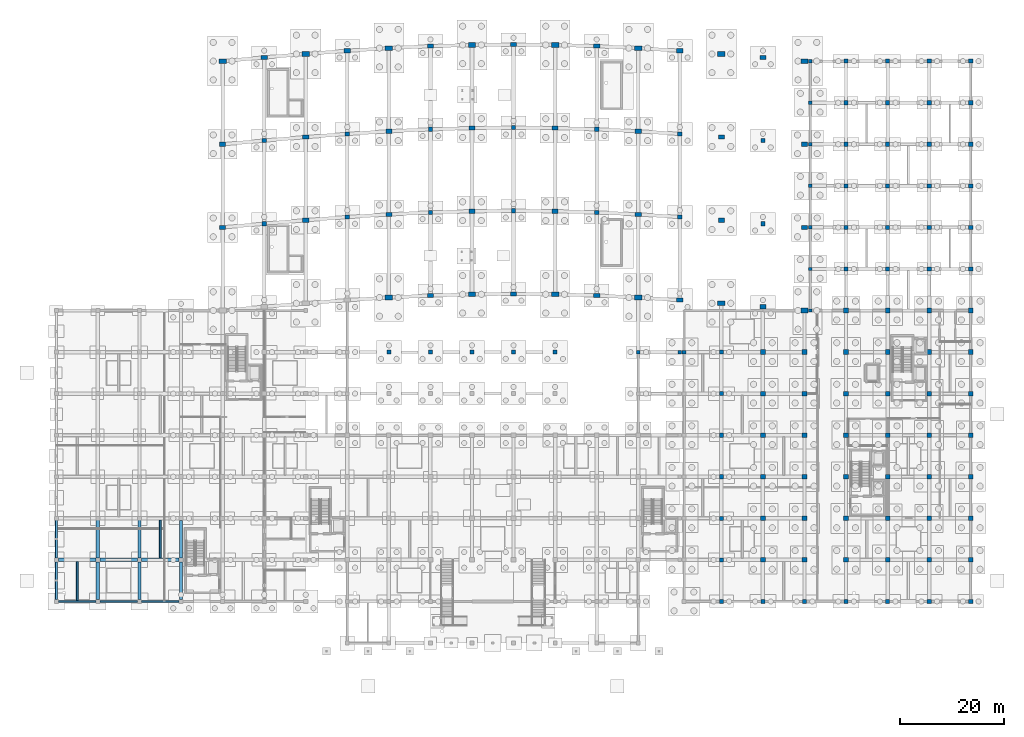
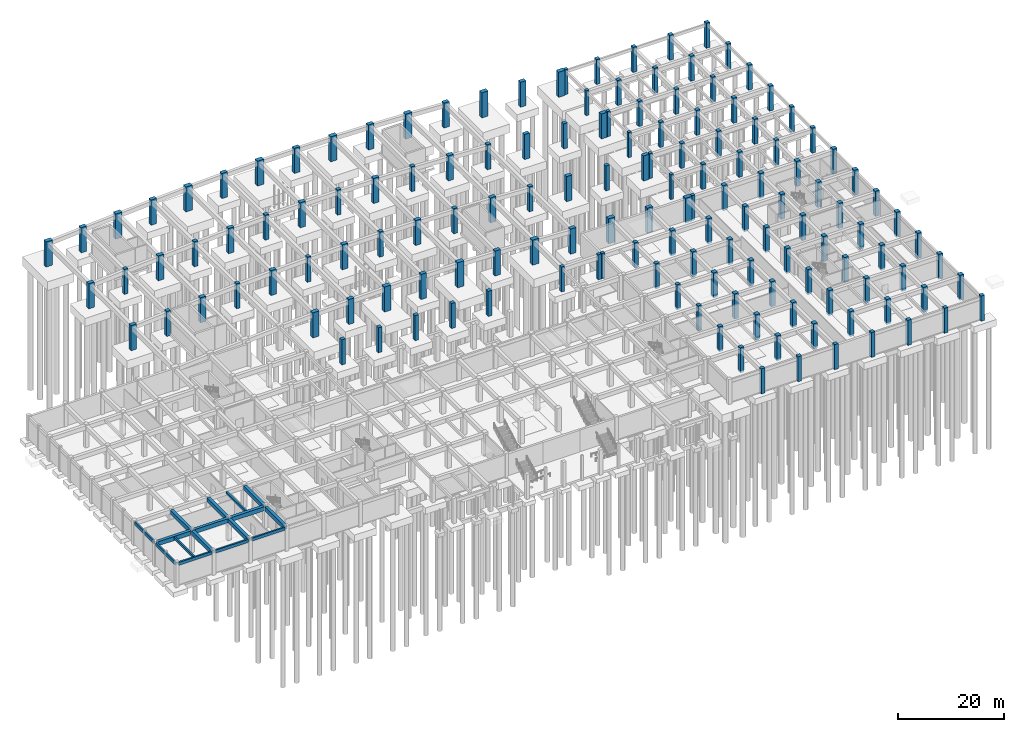
# One storey, part 11 of 45: 148 columns, 16 beams.
"""IFC4 building model written with IfcOpenShell, lengths in metres."""

from ifc_helpers import new_model, si_unit, direction, frame, origin, origin_2d, place, context, subcontext, project, spatial, rectangle, extrude, material, material_profile, profile_set, type_object, element, save


model = new_model("IFC4")

# Units and contexts
model_context = context("Model", 3, precision=1e-05, world=origin(), true_north=direction((0.0, 1.0)))
body_context = subcontext(model_context, "Body", "Model", "MODEL_VIEW")
ifc_project = project(units=[si_unit("LENGTHUNIT", "METRE"), si_unit("AREAUNIT", "SQUARE_METRE"), si_unit("VOLUMEUNIT", "CUBIC_METRE"), si_unit("PLANEANGLEUNIT", "RADIAN"), si_unit("MASSUNIT", "GRAM", prefix="KILO")], contexts=[model_context])

# Site, building, storey
site_placement = place(None, origin())
site = spatial("IfcSite", under=ifc_project, at=site_placement, CompositionType="ELEMENT")
building_placement = place(site_placement, origin())
building = spatial("IfcBuilding", under=site, at=building_placement, Name="Kenh Van Central Station", CompositionType="ELEMENT")
storey_placement = place(building_placement, frame((0.0, 0.0, -5.39990234375)))
storey = spatial("IfcBuildingStorey", under=building, at=storey_placement, Name="B1", CompositionType="ELEMENT", Elevation=-5.39990234375)

# Columns
ifc_material_1 = material(Name="Concrete C40/50", Category="concrete")
ifc_material_profile_1 = material_profile(ifc_material_1, rectangle(XDim=1.199951171875, YDim=0.800048828125, at=origin_2d()), Name="RC 1200x800")
ifc_profile_set_1 = profile_set([ifc_material_profile_1], Name="Concrete C40/50")
column_type_1 = type_object("IfcColumnType", Name="COL-PIER-1200x800", PredefinedType="COLUMN", material=ifc_profile_set_1)
for number, where, z_axis, x_axis, name in (
    (1, (32.0, 80.0, -0.400146484375), (0.0, 0.0, 1.0), (1.0, 0.0, 0.0), "B1 column VP-00-1"),
    (2, (32.0, 96.0, -0.400146484375), (0.0, 0.0, 1.0), (1.0, 0.0, 0.0), "B1 column VP-00-2"),
    (3, (40.0, 112.712158203125, -0.400146484375), (0.0, 0.0, 1.0), (1.0, 0.0, 0.0), "B1 column VPI-01-3"),
    (4, (48.0, 81.388427734375, -0.400146484375), (0.0, 0.0, 1.0), (1.0, 0.0, 0.0), "B1 column VP-02-1"),
    (5, (48.0, 97.388427734375, -0.400146484375), (0.0, 0.0, 1.0), (1.0, 0.0, 0.0), "B1 column VP-02-2"),
    (6, (56.0, 113.9951171875, -0.400146484375), (0.0, 0.0, 1.0), (1.0, 0.0, 0.0), "B1 column VPI-03-3"),
    (7, (64.0, 82.501953125, -0.400146484375), (0.0, 0.0, 1.0), (1.0, 0.0, 0.0), "B1 column VP-04-1"),
    (8, (64.0, 98.501953125, -0.400146484375), (0.0, 0.0, 1.0), (1.0, 0.0, 0.0), "B1 column VP-04-2"),
    (9, (72.0, 66.883056640625, -0.400146484375), (0.0, 0.0, 1.0), (1.0, 0.0, 0.0), "B1 column VPI-05-0"),
    (10, (72.0, 114.883056640625, -0.400146484375), (0.0, 0.0, 1.0), (1.0, 0.0, 0.0), "B1 column VPI-05-3"),
    (11, (80.0, 83.119873046875, -0.400146484375), (0.0, 0.0, 1.0), (1.0, 0.0, 0.0), "B1 column VP-06-1"),
    (12, (80.0, 99.119873046875, -0.400146484375), (0.0, 0.0, 1.0), (1.0, 0.0, 0.0), "B1 column VP-06-2"),
    (13, (88.0, 67.199951171875, -0.400146484375), (0.0, 0.0, 1.0), (1.0, 0.0, 0.0), "B1 column VPI-07-0"),
    (14, (88.0, 115.199951171875, -0.400146484375), (0.0, 0.0, 1.0), (1.0, 0.0, 0.0), "B1 column VPI-07-3"),
    (15, (96.0, 83.119873046875, -0.400146484375), (0.0, 0.0, 1.0), (1.0, 0.0, 0.0), "B1 column VP-08-1"),
    (16, (96.0, 99.119873046875, -0.400146484375), (0.0, 0.0, 1.0), (1.0, 0.0, 0.0), "B1 column VP-08-2"),
    (17, (104.0, 66.883056640625, -0.400146484375), (0.0, 0.0, 1.0), (1.0, 0.0, 0.0), "B1 column VPI-09-0"),
    (18, (104.0, 114.883056640625, -0.400146484375), (0.0, 0.0, 1.0), (1.0, 0.0, 0.0), "B1 column VPI-09-3"),
    (19, (112.0, 82.501953125, -0.400146484375), (0.0, 0.0, 1.0), (1.0, 0.0, 0.0), "B1 column VP-10-1"),
    (20, (112.0, 98.501953125, -0.400146484375), (0.0, 0.0, 1.0), (1.0, 0.0, 0.0), "B1 column VP-10-2"),
    (21, (120.0, 65.9951171875, -0.400146484375), (0.0, 0.0, 1.0), (1.0, 0.0, 0.0), "B1 column VPI-11-0"),
    (22, (120.0, 113.9951171875, -0.400146484375), (0.0, 0.0, 1.0), (1.0, 0.0, 0.0), "B1 column VPI-11-3"),
    (23, (128.0, 81.388427734375, -0.400146484375), (0.0, 0.0, 1.0), (1.0, 0.0, 0.0), "B1 column VP-12-1"),
    (24, (128.0, 97.388427734375, -0.400146484375), (0.0, 0.0, 1.0), (1.0, 0.0, 0.0), "B1 column VP-12-2"),
    (25, (136.0, 64.712158203125, -0.400146484375), (0.0, 0.0, 1.0), (1.0, 0.0, 0.0), "B1 column VPI-13-0"),
    (26, (136.0, 112.712158203125, -0.400146484375), (0.0, 0.0, 1.0), (1.0, 0.0, 0.0), "B1 column VPI-13-3"),
    (27, (144.0, 80.0, -0.400146484375), (0.0, 0.0, 1.0), (1.0, 0.0, 0.0), "B1 column VP-14-1"),
    (28, (144.0, 96.0, -0.400146484375), (0.0, 0.0, 1.0), (1.0, 0.0, 0.0), "B1 column VP-14-2"),
):
    element("IfcColumn", number, at=place(storey_placement, frame(where, z_axis=z_axis, x_axis=x_axis)), inside=storey, type_object=column_type_1, Name=name, PredefinedType="COLUMN", context=body_context, shape_type="SweptSolid", body=[
        extrude(rectangle(XDim=1.199951171875, YDim=0.800048828125, at=origin_2d()), origin(), (0.0, 0.0, 1.0), 5.800048828125),
    ])
ifc_material_profile_2 = material_profile(ifc_material_1, rectangle(XDim=1.39990234375, YDim=0.89990234375, at=origin_2d()), Name="RC 1400x900")
ifc_profile_set_2 = profile_set([ifc_material_profile_2], Name="Concrete C40/50")
column_type_2 = type_object("IfcColumnType", Name="COL-PIER-1400x900", PredefinedType="COLUMN", material=ifc_profile_set_2)
for number, where, z_axis, x_axis, name in (
    (29, (32.0, 112.0, -0.400146484375), (0.0, 0.0, 1.0), (1.0, 0.0, 0.0), "B1 column VP-00-3"),
    (30, (48.0, 113.388427734375, -0.400146484375), (0.0, 0.0, 1.0), (1.0, 0.0, 0.0), "B1 column VP-02-3"),
    (31, (64.0, 66.501953125, -0.400146484375), (0.0, 0.0, 1.0), (1.0, 0.0, 0.0), "B1 column VP-04-0"),
    (32, (64.0, 114.501953125, -0.400146484375), (0.0, 0.0, 1.0), (1.0, 0.0, 0.0), "B1 column VP-04-3"),
    (33, (80.0, 67.119873046875, -0.400146484375), (0.0, 0.0, 1.0), (1.0, 0.0, 0.0), "B1 column VP-06-0"),
    (34, (80.0, 115.119873046875, -0.400146484375), (0.0, 0.0, 1.0), (1.0, 0.0, 0.0), "B1 column VP-06-3"),
    (35, (96.0, 67.119873046875, -0.400146484375), (0.0, 0.0, 1.0), (1.0, 0.0, 0.0), "B1 column VP-08-0"),
    (36, (96.0, 115.119873046875, -0.400146484375), (0.0, 0.0, 1.0), (1.0, 0.0, 0.0), "B1 column VP-08-3"),
    (37, (112.0, 66.501953125, -0.400146484375), (0.0, 0.0, 1.0), (1.0, 0.0, 0.0), "B1 column VP-10-0"),
    (38, (112.0, 114.501953125, -0.400146484375), (0.0, 0.0, 1.0), (1.0, 0.0, 0.0), "B1 column VP-10-3"),
    (39, (128.0, 65.388427734375, -0.400146484375), (0.0, 0.0, 1.0), (1.0, 0.0, 0.0), "B1 column VP-12-0"),
    (40, (128.0, 113.388427734375, -0.400146484375), (0.0, 0.0, 1.0), (1.0, 0.0, 0.0), "B1 column VP-12-3"),
    (41, (144.0, 64.0, -0.400146484375), (0.0, 0.0, 1.0), (1.0, 0.0, 0.0), "B1 column VP-14-0"),
    (42, (144.0, 112.0, -0.400146484375), (0.0, 0.0, 1.0), (1.0, 0.0, 0.0), "B1 column VP-14-3"),
):
    element("IfcColumn", number, at=place(storey_placement, frame(where, z_axis=z_axis, x_axis=x_axis)), inside=storey, type_object=column_type_2, Name=name, PredefinedType="COLUMN", context=body_context, shape_type="SweptSolid", body=[
        extrude(rectangle(XDim=1.39990234375, YDim=0.89990234375, at=origin_2d()), origin(), (0.0, 0.0, 1.0), 5.800048828125),
    ])
ifc_material_2 = material(Name="Concrete C35/45", Category="concrete")
ifc_material_profile_3 = material_profile(ifc_material_2, rectangle(XDim=0.64990234375, YDim=0.64990234375, at=origin_2d()), Name="RC 650x650")
ifc_profile_set_3 = profile_set([ifc_material_profile_3], Name="Concrete C35/45")
column_type_3 = type_object("IfcColumnType", Name="COL-RC-650x650", PredefinedType="COLUMN", material=ifc_profile_set_3)
for number, where, z_axis, x_axis, name in (
    (43, (145.10009765625, 64.0, -0.400146484375), (0.0, 0.0, 1.0), (1.0, 0.0, 0.0), "B1 column CN-1451-064"),
    (44, (145.10009765625, 72.0, -0.400146484375), (0.0, 0.0, 1.0), (1.0, 0.0, 0.0), "B1 column CN-1451-072"),
    (45, (145.10009765625, 80.0, -0.400146484375), (0.0, 0.0, 1.0), (1.0, 0.0, 0.0), "B1 column CN-1451-080"),
    (46, (145.10009765625, 88.0, -0.400146484375), (0.0, 0.0, 1.0), (1.0, 0.0, 0.0), "B1 column CN-1451-088"),
    (47, (145.10009765625, 96.0, -0.400146484375), (0.0, 0.0, 1.0), (1.0, 0.0, 0.0), "B1 column CN-1451-096"),
    (48, (145.10009765625, 104.0, -0.400146484375), (0.0, 0.0, 1.0), (1.0, 0.0, 0.0), "B1 column CN-1451-104"),
    (49, (145.10009765625, 112.0, -0.400146484375), (0.0, 0.0, 1.0), (1.0, 0.0, 0.0), "B1 column CN-1451-112"),
):
    element("IfcColumn", number, at=place(storey_placement, frame(where, z_axis=z_axis, x_axis=x_axis)), inside=storey, type_object=column_type_3, Name=name, PredefinedType="COLUMN", context=body_context, shape_type="SweptSolid", body=[
        extrude(rectangle(XDim=0.64990234375, YDim=0.64990234375, at=origin_2d()), origin(), (0.0, 0.0, 1.0), 5.800048828125),
    ])
ifc_material_profile_4 = material_profile(ifc_material_1, rectangle(XDim=0.699951171875, YDim=0.699951171875, at=origin_2d()), Name="RC 700x700")
ifc_profile_set_4 = profile_set([ifc_material_profile_4], Name="Concrete C40/50")
column_type_4 = type_object("IfcColumnType", Name="COL-RC-700x700", PredefinedType="COLUMN", material=ifc_profile_set_4)
for number, where, z_axis, x_axis, name in (
    (50, (112.0, 56.0, -0.400146484375), (0.0, 0.0, 1.0), (1.0, 0.0, 0.0), "B1 column CL-112-056"),
    (51, (120.0, 56.0, -0.400146484375), (0.0, 0.0, 1.0), (1.0, 0.0, 0.0), "B1 column CL-120-056"),
    (52, (120.800048828125, 56.0, -0.400146484375), (0.0, 0.0, 1.0), (1.0, 0.0, 0.0), "B1 column CE-1208-056"),
):
    element("IfcColumn", number, at=place(storey_placement, frame(where, z_axis=z_axis, x_axis=x_axis)), inside=storey, type_object=column_type_4, Name=name, PredefinedType="COLUMN", context=body_context, shape_type="SweptSolid", body=[
        extrude(rectangle(XDim=0.699951171875, YDim=0.699951171875, at=origin_2d()), origin(), (0.0, 0.0, 1.0), 5.800048828125),
    ])
ifc_material_profile_5 = material_profile(ifc_material_1, rectangle(XDim=0.800048828125, YDim=0.800048828125, at=origin_2d()), Name="RC 800x800")
ifc_profile_set_5 = profile_set([ifc_material_profile_5], Name="Concrete C40/50")
column_type_5 = type_object("IfcColumnType", Name="COL-RC-800x800", PredefinedType="COLUMN", material=ifc_profile_set_5)
for number, where, z_axis, x_axis, name in (
    (53, (40.0, 80.712158203125, -0.400146484375), (0.0, 0.0, 1.0), (1.0, 0.0, 0.0), "B1 column VP-01-1"),
    (54, (40.0, 96.712158203125, -0.400146484375), (0.0, 0.0, 1.0), (1.0, 0.0, 0.0), "B1 column VP-01-2"),
    (55, (56.0, 81.9951171875, -0.400146484375), (0.0, 0.0, 1.0), (1.0, 0.0, 0.0), "B1 column VP-03-1"),
    (56, (56.0, 97.9951171875, -0.400146484375), (0.0, 0.0, 1.0), (1.0, 0.0, 0.0), "B1 column VP-03-2"),
    (57, (72.0, 82.883056640625, -0.400146484375), (0.0, 0.0, 1.0), (1.0, 0.0, 0.0), "B1 column VP-05-1"),
    (58, (72.0, 98.883056640625, -0.400146484375), (0.0, 0.0, 1.0), (1.0, 0.0, 0.0), "B1 column VP-05-2"),
    (59, (88.0, 83.199951171875, -0.400146484375), (0.0, 0.0, 1.0), (1.0, 0.0, 0.0), "B1 column VP-07-1"),
    (60, (88.0, 99.199951171875, -0.400146484375), (0.0, 0.0, 1.0), (1.0, 0.0, 0.0), "B1 column VP-07-2"),
    (61, (104.0, 82.883056640625, -0.400146484375), (0.0, 0.0, 1.0), (1.0, 0.0, 0.0), "B1 column VP-09-1"),
    (62, (104.0, 98.883056640625, -0.400146484375), (0.0, 0.0, 1.0), (1.0, 0.0, 0.0), "B1 column VP-09-2"),
    (63, (120.0, 81.9951171875, -0.400146484375), (0.0, 0.0, 1.0), (1.0, 0.0, 0.0), "B1 column VP-11-1"),
    (64, (120.0, 97.9951171875, -0.400146484375), (0.0, 0.0, 1.0), (1.0, 0.0, 0.0), "B1 column VP-11-2"),
    (65, (136.0, 80.712158203125, -0.400146484375), (0.0, 0.0, 1.0), (1.0, 0.0, 0.0), "B1 column VP-13-1"),
    (66, (136.0, 96.712158203125, -0.400146484375), (0.0, 0.0, 1.0), (1.0, 0.0, 0.0), "B1 column VP-13-2"),
    (67, (64.0, 56.0, -0.400146484375), (0.0, 0.0, 1.0), (1.0, 0.0, 0.0), "B1 column CB-064-056"),
    (68, (72.0, 56.0, -0.400146484375), (0.0, 0.0, 1.0), (1.0, 0.0, 0.0), "B1 column CB-072-056"),
    (69, (80.0, 56.0, -0.400146484375), (0.0, 0.0, 1.0), (1.0, 0.0, 0.0), "B1 column CB-080-056"),
    (70, (88.0, 56.0, -0.400146484375), (0.0, 0.0, 1.0), (1.0, 0.0, 0.0), "B1 column CB-088-056"),
    (71, (96.0, 56.0, -0.400146484375), (0.0, 0.0, 1.0), (1.0, 0.0, 0.0), "B1 column CB-096-056"),
    (72, (128.0, 8.0, -0.400146484375), (0.0, 0.0, 1.0), (1.0, 0.0, 0.0), "B1 column CE-1280-008"),
    (73, (128.0, 16.0, -0.400146484375), (0.0, 0.0, 1.0), (1.0, 0.0, 0.0), "B1 column CE-1280-016"),
    (74, (128.0, 24.0, -0.400146484375), (0.0, 0.0, 1.0), (1.0, 0.0, 0.0), "B1 column CE-1280-024"),
    (75, (128.0, 32.0, -0.400146484375), (0.0, 0.0, 1.0), (1.0, 0.0, 0.0), "B1 column CE-1280-032"),
    (76, (128.0, 40.0, -0.400146484375), (0.0, 0.0, 1.0), (1.0, 0.0, 0.0), "B1 column CE-1280-040"),
    (77, (128.0, 48.0, -0.400146484375), (0.0, 0.0, 1.0), (1.0, 0.0, 0.0), "B1 column CE-1280-048"),
    (78, (128.0, 56.0, -0.400146484375), (0.0, 0.0, 1.0), (1.0, 0.0, 0.0), "B1 column CE-1280-056"),
    (79, (136.0, 8.0, -0.400146484375), (0.0, 0.0, 1.0), (1.0, 0.0, 0.0), "B1 column CE-1360-008"),
    (80, (144.0, 8.0, -0.400146484375), (0.0, 0.0, 1.0), (1.0, 0.0, 0.0), "B1 column CE-1440-008"),
    (81, (152.0, 8.0, -0.400146484375), (0.0, 0.0, 1.0), (1.0, 0.0, 0.0), "B1 column CE-1520-008"),
    (82, (160.0, 8.0, -0.400146484375), (0.0, 0.0, 1.0), (1.0, 0.0, 0.0), "B1 column CE-1600-008"),
    (83, (168.0, 8.0, -0.400146484375), (0.0, 0.0, 1.0), (1.0, 0.0, 0.0), "B1 column CE-1680-008"),
    (84, (176.0, 8.0, -0.400146484375), (0.0, 0.0, 1.0), (1.0, 0.0, 0.0), "B1 column CE-1760-008"),
    (85, (152.0, 72.0, -0.400146484375), (0.0, 0.0, 1.0), (1.0, 0.0, 0.0), "B1 column CN-1520-072"),
    (86, (152.0, 80.0, -0.400146484375), (0.0, 0.0, 1.0), (1.0, 0.0, 0.0), "B1 column CN-1520-080"),
    (87, (152.0, 88.0, -0.400146484375), (0.0, 0.0, 1.0), (1.0, 0.0, 0.0), "B1 column CN-1520-088"),
    (88, (152.0, 96.0, -0.400146484375), (0.0, 0.0, 1.0), (1.0, 0.0, 0.0), "B1 column CN-1520-096"),
    (89, (152.0, 104.0, -0.400146484375), (0.0, 0.0, 1.0), (1.0, 0.0, 0.0), "B1 column CN-1520-104"),
    (90, (152.0, 112.0, -0.400146484375), (0.0, 0.0, 1.0), (1.0, 0.0, 0.0), "B1 column CN-1520-112"),
    (91, (160.0, 72.0, -0.400146484375), (0.0, 0.0, 1.0), (1.0, 0.0, 0.0), "B1 column CN-1600-072"),
    (92, (160.0, 80.0, -0.400146484375), (0.0, 0.0, 1.0), (1.0, 0.0, 0.0), "B1 column CN-1600-080"),
    (93, (160.0, 88.0, -0.400146484375), (0.0, 0.0, 1.0), (1.0, 0.0, 0.0), "B1 column CN-1600-088"),
    (94, (160.0, 96.0, -0.400146484375), (0.0, 0.0, 1.0), (1.0, 0.0, 0.0), "B1 column CN-1600-096"),
    (95, (160.0, 104.0, -0.400146484375), (0.0, 0.0, 1.0), (1.0, 0.0, 0.0), "B1 column CN-1600-104"),
    (96, (160.0, 112.0, -0.400146484375), (0.0, 0.0, 1.0), (1.0, 0.0, 0.0), "B1 column CN-1600-112"),
    (97, (168.0, 72.0, -0.400146484375), (0.0, 0.0, 1.0), (1.0, 0.0, 0.0), "B1 column CN-1680-072"),
    (98, (168.0, 80.0, -0.400146484375), (0.0, 0.0, 1.0), (1.0, 0.0, 0.0), "B1 column CN-1680-080"),
    (99, (168.0, 88.0, -0.400146484375), (0.0, 0.0, 1.0), (1.0, 0.0, 0.0), "B1 column CN-1680-088"),
    (100, (168.0, 96.0, -0.400146484375), (0.0, 0.0, 1.0), (1.0, 0.0, 0.0), "B1 column CN-1680-096"),
    (101, (168.0, 104.0, -0.400146484375), (0.0, 0.0, 1.0), (1.0, 0.0, 0.0), "B1 column CN-1680-104"),
    (102, (168.0, 112.0, -0.400146484375), (0.0, 0.0, 1.0), (1.0, 0.0, 0.0), "B1 column CN-1680-112"),
    (103, (176.0, 72.0, -0.400146484375), (0.0, 0.0, 1.0), (1.0, 0.0, 0.0), "B1 column CN-1760-072"),
    (104, (176.0, 80.0, -0.400146484375), (0.0, 0.0, 1.0), (1.0, 0.0, 0.0), "B1 column CN-1760-080"),
    (105, (176.0, 88.0, -0.400146484375), (0.0, 0.0, 1.0), (1.0, 0.0, 0.0), "B1 column CN-1760-088"),
    (106, (176.0, 96.0, -0.400146484375), (0.0, 0.0, 1.0), (1.0, 0.0, 0.0), "B1 column CN-1760-096"),
    (107, (176.0, 104.0, -0.400146484375), (0.0, 0.0, 1.0), (1.0, 0.0, 0.0), "B1 column CN-1760-104"),
    (108, (176.0, 112.0, -0.400146484375), (0.0, 0.0, 1.0), (1.0, 0.0, 0.0), "B1 column CN-1760-112"),
):
    element("IfcColumn", number, at=place(storey_placement, frame(where, z_axis=z_axis, x_axis=x_axis)), inside=storey, type_object=column_type_5, Name=name, PredefinedType="COLUMN", context=body_context, shape_type="SweptSolid", body=[
        extrude(rectangle(XDim=0.800048828125, YDim=0.800048828125, at=origin_2d()), origin(), (0.0, 0.0, 1.0), 5.800048828125),
    ])
ifc_material_profile_6 = material_profile(ifc_material_1, rectangle(XDim=0.89990234375, YDim=0.89990234375, at=origin_2d()), Name="RC 900x900")
ifc_profile_set_6 = profile_set([ifc_material_profile_6], Name="Concrete C40/50")
column_type_6 = type_object("IfcColumnType", Name="COL-RC-900x900", PredefinedType="COLUMN", material=ifc_profile_set_6)
for number, where, z_axis, x_axis, name in (
    (109, (136.0, 16.0, -0.400146484375), (0.0, 0.0, 1.0), (1.0, 0.0, 0.0), "B1 column CE-1360-016"),
    (110, (136.0, 24.0, -0.400146484375), (0.0, 0.0, 1.0), (1.0, 0.0, 0.0), "B1 column CE-1360-024"),
    (111, (136.0, 32.0, -0.400146484375), (0.0, 0.0, 1.0), (1.0, 0.0, 0.0), "B1 column CE-1360-032"),
    (112, (136.0, 40.0, -0.400146484375), (0.0, 0.0, 1.0), (1.0, 0.0, 0.0), "B1 column CE-1360-040"),
    (113, (136.0, 48.0, -0.400146484375), (0.0, 0.0, 1.0), (1.0, 0.0, 0.0), "B1 column CE-1360-048"),
    (114, (136.0, 56.0, -0.400146484375), (0.0, 0.0, 1.0), (1.0, 0.0, 0.0), "B1 column CE-1360-056"),
    (115, (144.0, 16.0, -0.400146484375), (0.0, 0.0, 1.0), (1.0, 0.0, 0.0), "B1 column CE-1440-016"),
    (116, (144.0, 24.0, -0.400146484375), (0.0, 0.0, 1.0), (1.0, 0.0, 0.0), "B1 column CE-1440-024"),
    (117, (144.0, 32.0, -0.400146484375), (0.0, 0.0, 1.0), (1.0, 0.0, 0.0), "B1 column CE-1440-032"),
    (118, (144.0, 40.0, -0.400146484375), (0.0, 0.0, 1.0), (1.0, 0.0, 0.0), "B1 column CE-1440-040"),
    (119, (144.0, 48.0, -0.400146484375), (0.0, 0.0, 1.0), (1.0, 0.0, 0.0), "B1 column CE-1440-048"),
    (120, (144.0, 56.0, -0.400146484375), (0.0, 0.0, 1.0), (1.0, 0.0, 0.0), "B1 column CE-1440-056"),
    (121, (152.0, 16.0, -0.400146484375), (0.0, 0.0, 1.0), (1.0, 0.0, 0.0), "B1 column CE-1520-016"),
    (122, (152.0, 24.0, -0.400146484375), (0.0, 0.0, 1.0), (1.0, 0.0, 0.0), "B1 column CE-1520-024"),
    (123, (152.0, 32.0, -0.400146484375), (0.0, 0.0, 1.0), (1.0, 0.0, 0.0), "B1 column CE-1520-032"),
    (124, (152.0, 40.0, -0.400146484375), (0.0, 0.0, 1.0), (1.0, 0.0, 0.0), "B1 column CE-1520-040"),
    (125, (152.0, 48.0, -0.400146484375), (0.0, 0.0, 1.0), (1.0, 0.0, 0.0), "B1 column CE-1520-048"),
    (126, (152.0, 56.0, -0.400146484375), (0.0, 0.0, 1.0), (1.0, 0.0, 0.0), "B1 column CE-1520-056"),
    (127, (152.0, 64.0, -0.400146484375), (0.0, 0.0, 1.0), (1.0, 0.0, 0.0), "B1 column CE-1520-064"),
    (128, (160.0, 16.0, -0.400146484375), (0.0, 0.0, 1.0), (1.0, 0.0, 0.0), "B1 column CE-1600-016"),
    (129, (160.0, 24.0, -0.400146484375), (0.0, 0.0, 1.0), (1.0, 0.0, 0.0), "B1 column CE-1600-024"),
    (130, (160.0, 32.0, -0.400146484375), (0.0, 0.0, 1.0), (1.0, 0.0, 0.0), "B1 column CE-1600-032"),
    (131, (160.0, 40.0, -0.400146484375), (0.0, 0.0, 1.0), (1.0, 0.0, 0.0), "B1 column CE-1600-040"),
    (132, (160.0, 48.0, -0.400146484375), (0.0, 0.0, 1.0), (1.0, 0.0, 0.0), "B1 column CE-1600-048"),
    (133, (160.0, 56.0, -0.400146484375), (0.0, 0.0, 1.0), (1.0, 0.0, 0.0), "B1 column CE-1600-056"),
    (134, (160.0, 64.0, -0.400146484375), (0.0, 0.0, 1.0), (1.0, 0.0, 0.0), "B1 column CE-1600-064"),
    (135, (168.0, 16.0, -0.400146484375), (0.0, 0.0, 1.0), (1.0, 0.0, 0.0), "B1 column CE-1680-016"),
    (136, (168.0, 24.0, -0.400146484375), (0.0, 0.0, 1.0), (1.0, 0.0, 0.0), "B1 column CE-1680-024"),
    (137, (168.0, 32.0, -0.400146484375), (0.0, 0.0, 1.0), (1.0, 0.0, 0.0), "B1 column CE-1680-032"),
    (138, (168.0, 40.0, -0.400146484375), (0.0, 0.0, 1.0), (1.0, 0.0, 0.0), "B1 column CE-1680-040"),
    (139, (168.0, 48.0, -0.400146484375), (0.0, 0.0, 1.0), (1.0, 0.0, 0.0), "B1 column CE-1680-048"),
    (140, (168.0, 56.0, -0.400146484375), (0.0, 0.0, 1.0), (1.0, 0.0, 0.0), "B1 column CE-1680-056"),
    (141, (168.0, 64.0, -0.400146484375), (0.0, 0.0, 1.0), (1.0, 0.0, 0.0), "B1 column CE-1680-064"),
    (142, (176.0, 16.0, -0.400146484375), (0.0, 0.0, 1.0), (1.0, 0.0, 0.0), "B1 column CE-1760-016"),
    (143, (176.0, 24.0, -0.400146484375), (0.0, 0.0, 1.0), (1.0, 0.0, 0.0), "B1 column CE-1760-024"),
    (144, (176.0, 32.0, -0.400146484375), (0.0, 0.0, 1.0), (1.0, 0.0, 0.0), "B1 column CE-1760-032"),
    (145, (176.0, 40.0, -0.400146484375), (0.0, 0.0, 1.0), (1.0, 0.0, 0.0), "B1 column CE-1760-040"),
    (146, (176.0, 48.0, -0.400146484375), (0.0, 0.0, 1.0), (1.0, 0.0, 0.0), "B1 column CE-1760-048"),
    (147, (176.0, 56.0, -0.400146484375), (0.0, 0.0, 1.0), (1.0, 0.0, 0.0), "B1 column CE-1760-056"),
    (148, (176.0, 64.0, -0.400146484375), (0.0, 0.0, 1.0), (1.0, 0.0, 0.0), "B1 column CE-1760-064"),
):
    element("IfcColumn", number, at=place(storey_placement, frame(where, z_axis=z_axis, x_axis=x_axis)), inside=storey, type_object=column_type_6, Name=name, PredefinedType="COLUMN", context=body_context, shape_type="SweptSolid", body=[
        extrude(rectangle(XDim=0.89990234375, YDim=0.89990234375, at=origin_2d()), origin(), (0.0, 0.0, 1.0), 5.800048828125),
    ])

# Beams
ifc_material_profile_7 = material_profile(ifc_material_1, rectangle(XDim=0.64990234375, YDim=0.949951171875, at=origin_2d()), Name="RC 650x950")
ifc_profile_set_7 = profile_set([ifc_material_profile_7], Name="Concrete C40/50")
beam_type_1 = type_object("IfcBeamType", Name="BM-RC-650x950", PredefinedType="BEAM", material=ifc_profile_set_7)
for number, where, z_axis, x_axis, name in (
    (149, (0.364990234375, 16.0, 4.625), (1.0, 0.0, 0.0), (0.0, 1.0, 0.0), "B1 beam 0017"),
    (150, (8.364990234375, 16.0, 4.625), (1.0, 0.0, 0.0), (0.0, 1.0, 0.0), "B1 beam 0018"),
):
    element("IfcBeam", number, at=place(storey_placement, frame(where, z_axis=z_axis, x_axis=x_axis)), inside=storey, type_object=beam_type_1, Name=name, PredefinedType="BEAM", context=body_context, shape_type="SweptSolid", body=[
        extrude(rectangle(XDim=0.64990234375, YDim=0.949951171875, at=origin_2d()), origin(), (0.0, 0.0, 1.0), 7.27001953125),
    ])
beam_1_placement = place(storey_placement, frame((16.364990234375, 16.0, 4.625), z_axis=(1.0, 0.0, 0.0), x_axis=(0.0, 1.0, 0.0)))
element("IfcBeam", 151, at=beam_1_placement, inside=storey, type_object=beam_type_1, Name="B1 beam 0019", PredefinedType="BEAM", context=body_context, shape_type="SweptSolid", body=[
    extrude(rectangle(XDim=0.64990234375, YDim=0.949951171875, at=origin_2d()), origin(), (0.0, 0.0, 1.0), 7.2451171875),
])
for number, where, z_axis, x_axis, name in (
    (152, (8.0, 8.364990234375, 4.625), (0.0, 1.0, 0.0), (-1.0, 0.0, 0.0), "B1 beam 0155"),
    (153, (8.0, 16.364990234375, 4.625), (0.0, 1.0, 0.0), (-1.0, 0.0, 0.0), "B1 beam 0156"),
    (154, (16.0, 8.364990234375, 4.625), (0.0, 1.0, 0.0), (-1.0, 0.0, 0.0), "B1 beam 0162"),
    (155, (16.0, 16.364990234375, 4.625), (0.0, 1.0, 0.0), (-1.0, 0.0, 0.0), "B1 beam 0163"),
):
    element("IfcBeam", number, at=place(storey_placement, frame(where, z_axis=z_axis, x_axis=x_axis)), inside=storey, type_object=beam_type_1, Name=name, PredefinedType="BEAM", context=body_context, shape_type="SweptSolid", body=[
        extrude(rectangle(XDim=0.64990234375, YDim=0.949951171875, at=origin_2d()), origin(), (0.0, 0.0, 1.0), 7.27001953125),
    ])
for number, where, z_axis, x_axis, name in (
    (156, (24.0, 8.389892578125, 4.625), (0.0, 1.0, 0.0), (-1.0, 0.0, 0.0), "B1 beam 0169"),
    (157, (24.0, 16.389892578125, 4.625), (0.0, 1.0, 0.0), (-1.0, 0.0, 0.0), "B1 beam 0170"),
):
    element("IfcBeam", number, at=place(storey_placement, frame(where, z_axis=z_axis, x_axis=x_axis)), inside=storey, type_object=beam_type_1, Name=name, PredefinedType="BEAM", context=body_context, shape_type="SweptSolid", body=[
        extrude(rectangle(XDim=0.64990234375, YDim=0.949951171875, at=origin_2d()), origin(), (0.0, 0.0, 1.0), 7.22021484375),
    ])
ifc_material_profile_8 = material_profile(ifc_material_2, rectangle(XDim=0.35009765625, YDim=0.550048828125, at=origin_2d()), Name="RC 350x550")
ifc_profile_set_8 = profile_set([ifc_material_profile_8], Name="Concrete C35/45")
beam_type_2 = type_object("IfcBeamType", Name="JST-RC-350x550", PredefinedType="JOIST", material=ifc_profile_set_8)
beam_2_placement = place(storey_placement, frame((4.0, 8.175048828125, 4.824951171875), z_axis=(0.0, 1.0, 0.0), x_axis=(-1.0, 0.0, 0.0)))
element("IfcBeam", 158, at=beam_2_placement, inside=storey, type_object=beam_type_2, Name="B1 floor joist 0313", PredefinedType="JOIST", context=body_context, shape_type="SweptSolid", body=[
    extrude(rectangle(XDim=0.35009765625, YDim=0.550048828125, at=origin_2d()), origin(), (0.0, 0.0, 1.0), 7.5),
])
beam_3_placement = place(storey_placement, frame((20.0, 16.324951171875, 4.824951171875), z_axis=(0.0, 1.0, 0.0), x_axis=(-1.0, 0.0, 0.0)))
element("IfcBeam", 159, at=beam_3_placement, inside=storey, type_object=beam_type_2, Name="B1 floor joist 0317", PredefinedType="JOIST", context=body_context, shape_type="SweptSolid", body=[
    extrude(rectangle(XDim=0.35009765625, YDim=0.550048828125, at=origin_2d()), origin(), (0.0, 0.0, 1.0), 7.35009765625),
])
ifc_material_profile_9 = material_profile(ifc_material_2, rectangle(XDim=0.35009765625, YDim=0.699951171875, at=origin_2d()), Name="RC 350x700")
ifc_profile_set_9 = profile_set([ifc_material_profile_9], Name="Concrete C35/45")
beam_type_3 = type_object("IfcBeamType", Name="SPD-RC-350x700", PredefinedType="SPANDREL", material=ifc_profile_set_9)
for number, where, z_axis, x_axis, name in (
    (160, (0.364990234375, 8.0, 4.75), (1.0, 0.0, 0.0), (0.0, 1.0, 0.0), "B1 beam 0003"),
    (161, (8.364990234375, 8.0, 4.75), (1.0, 0.0, 0.0), (0.0, 1.0, 0.0), "B1 beam 0004"),
):
    element("IfcBeam", number, at=place(storey_placement, frame(where, z_axis=z_axis, x_axis=x_axis)), inside=storey, type_object=beam_type_3, Name=name, PredefinedType="SPANDREL", context=body_context, shape_type="SweptSolid", body=[
        extrude(rectangle(XDim=0.35009765625, YDim=0.699951171875, at=origin_2d()), origin(), (0.0, 0.0, 1.0), 7.27001953125),
    ])
beam_4_placement = place(storey_placement, frame((16.364990234375, 8.0, 4.75), z_axis=(1.0, 0.0, 0.0), x_axis=(0.0, 1.0, 0.0)))
element("IfcBeam", 162, at=beam_4_placement, inside=storey, type_object=beam_type_3, Name="B1 beam 0005", PredefinedType="SPANDREL", context=body_context, shape_type="SweptSolid", body=[
    extrude(rectangle(XDim=0.35009765625, YDim=0.699951171875, at=origin_2d()), origin(), (0.0, 0.0, 1.0), 7.2451171875),
])
for number, where, z_axis, x_axis, name in (
    (163, (0.0, 8.364990234375, 4.75), (0.0, 1.0, 0.0), (-1.0, 0.0, 0.0), "B1 beam 0148"),
    (164, (0.0, 16.364990234375, 4.75), (0.0, 1.0, 0.0), (-1.0, 0.0, 0.0), "B1 beam 0149"),
):
    element("IfcBeam", number, at=place(storey_placement, frame(where, z_axis=z_axis, x_axis=x_axis)), inside=storey, type_object=beam_type_3, Name=name, PredefinedType="SPANDREL", context=body_context, shape_type="SweptSolid", body=[
        extrude(rectangle(XDim=0.35009765625, YDim=0.699951171875, at=origin_2d()), origin(), (0.0, 0.0, 1.0), 7.27001953125),
    ])

save(model, "model.ifc")
